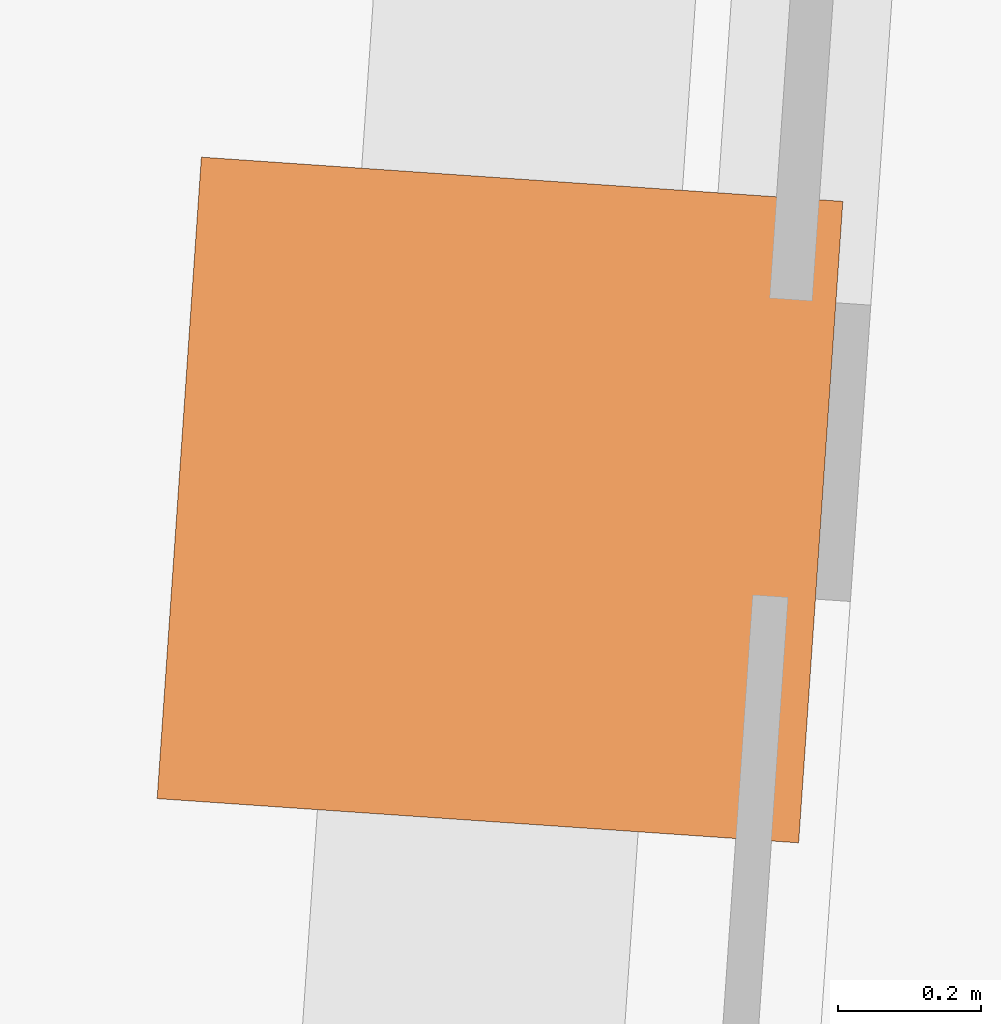
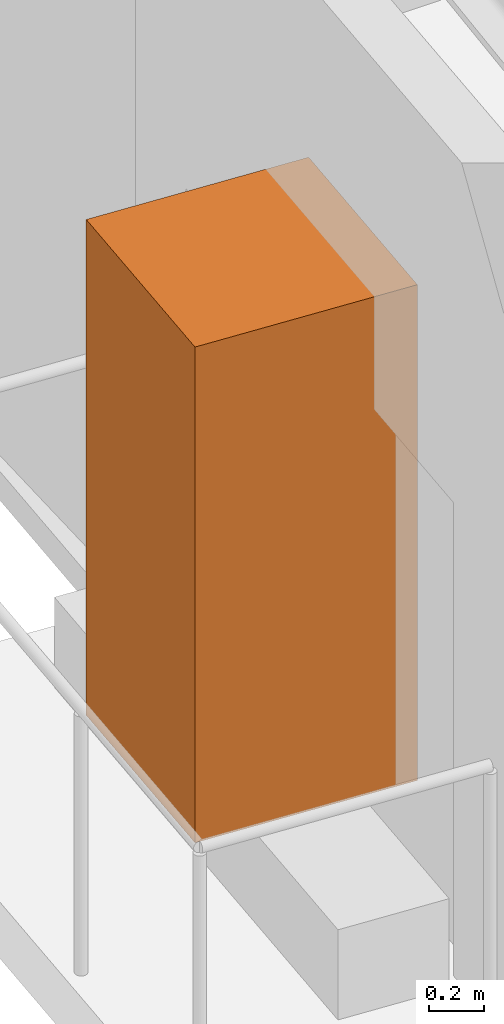
# One storey, part 12 of 12: 1 geographic element.
"""IFC4 building model written with IfcOpenShell, lengths in metres."""

from ifc_helpers import new_model, si_unit, direction, frame, origin, origin_2d, place, context, subcontext, project, spatial, rectangle, extrude, material, type_object, element, save


model = new_model("IFC4")

# Units and contexts
model_context = context("Model", 3, precision=1e-05, world=origin(), true_north=direction((0.0, 1.0)))
body_context = subcontext(model_context, "Body", "Model", "MODEL_VIEW")
ifc_project = project(units=[si_unit("LENGTHUNIT", "METRE"), si_unit("AREAUNIT", "SQUARE_METRE"), si_unit("VOLUMEUNIT", "CUBIC_METRE"), si_unit("PLANEANGLEUNIT", "RADIAN"), si_unit("MASSUNIT", "GRAM", prefix="KILO")], contexts=[model_context])

# Site, building, storey
site_placement = place(None, origin())
site = spatial("IfcSite", under=ifc_project, at=site_placement, CompositionType="ELEMENT")
building_placement = place(site_placement, origin())
building = spatial("IfcBuilding", under=site, at=building_placement, Name="Verdant Reach Tower", CompositionType="ELEMENT")
storey_placement = place(building_placement, frame((0.0, 0.0, 270.0)))
storey = spatial("IfcBuildingStorey", under=building, at=storey_placement, Name="L62", CompositionType="ELEMENT", Elevation=270.0)

# Geographic element
ifc_material = material(Name="Planting")
geographic_element_type = type_object("IfcGeographicElementType", Name="EN-TREE", PredefinedType="USERDEFINED", material=ifc_material)
geographic_element_placement = place(storey_placement, frame((-24.17626953125, 24.195068359375, 0.39990234375), z_axis=(0.0, 0.0, 1.0), x_axis=(-0.068802091615, -0.997630328423, 0.0)))
element("IfcGeographicElement", 1, at=geographic_element_placement, inside=storey, type_object=geographic_element_type, Name="Balcony tree, Guabiroba (Campomanesia xanthocarpa), L62 1", ObjectType="TREE", PredefinedType="USERDEFINED", context=body_context, shape_type="SweptSolid", body=[
    extrude(rectangle(XDim=0.89990234375, YDim=0.89990234375, at=origin_2d()), origin(), (0.0, 0.0, 1.0), 2.199951171875),
])

save(model, "model.ifc")
